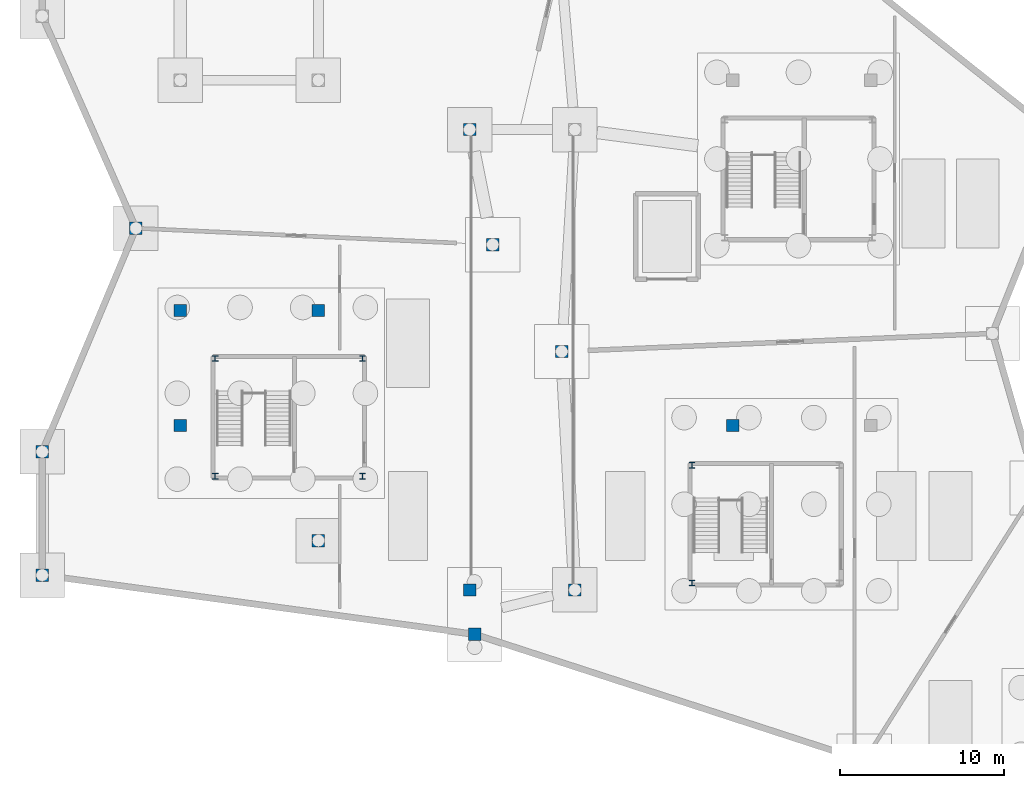
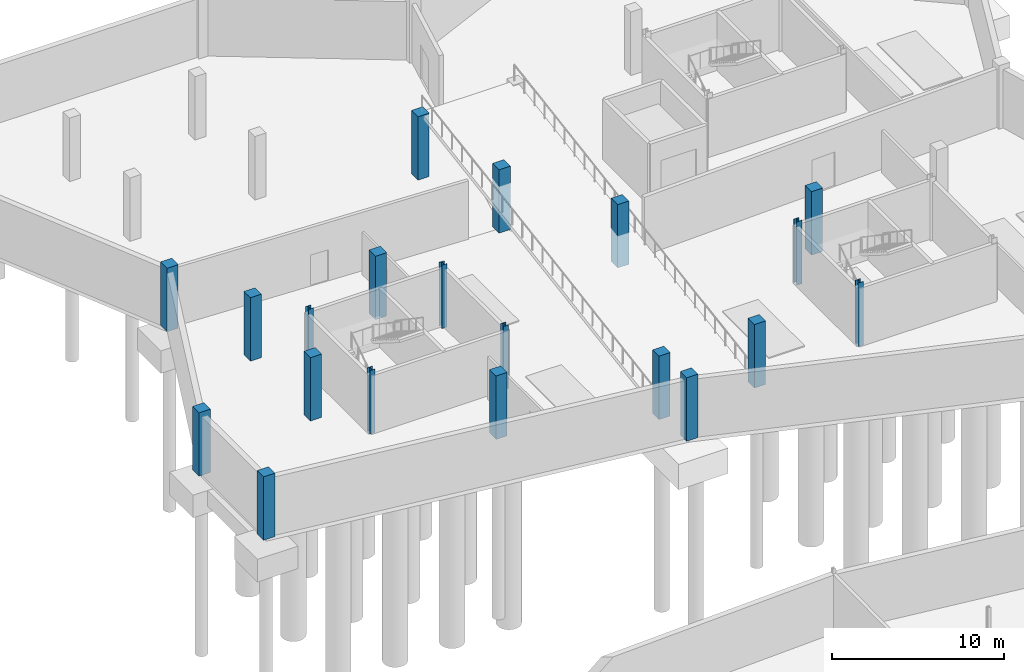
# One storey, part 15 of 37: 20 columns.
"""IFC4 building model written with IfcOpenShell, lengths in metres."""

from ifc_helpers import new_model, si_unit, direction, frame, origin, origin_2d, place, context, subcontext, project, spatial, rectangle, i_section, extrude, material, material_profile, profile_set, type_object, element, save


model = new_model("IFC4")

# Units and contexts
model_context = context("Model", 3, precision=1e-05, world=origin(), true_north=direction((0.0, 1.0)))
body_context = subcontext(model_context, "Body", "Model", "MODEL_VIEW")
ifc_project = project(units=[si_unit("LENGTHUNIT", "METRE"), si_unit("AREAUNIT", "SQUARE_METRE"), si_unit("VOLUMEUNIT", "CUBIC_METRE"), si_unit("PLANEANGLEUNIT", "RADIAN"), si_unit("MASSUNIT", "GRAM", prefix="KILO")], contexts=[model_context])

# Site, building, storey
site_placement = place(None, origin())
site = spatial("IfcSite", under=ifc_project, at=site_placement, CompositionType="ELEMENT")
building_placement = place(site_placement, origin())
building = spatial("IfcBuilding", under=site, at=building_placement, Name="Tameran Prism Museum", CompositionType="ELEMENT")
storey_placement = place(building_placement, frame((0.0, 0.0, -4.5)))
storey = spatial("IfcBuildingStorey", under=building, at=storey_placement, Name="B1", CompositionType="ELEMENT", Elevation=-4.5)

# Columns
ifc_material_1 = material(Name="Concrete N50 (50 MPa)", Category="concrete")
ifc_material_profile_1 = material_profile(ifc_material_1, rectangle(XDim=0.75, YDim=0.75, at=origin_2d()))
ifc_profile_set_1 = profile_set([ifc_material_profile_1])
column_type_1 = type_object("IfcColumnType", Name="COL-RC750", PredefinedType="COLUMN", material=ifc_profile_set_1)
for number, where, z_axis, x_axis, name in (
    (1, (0.0, 67.89990234375, 0.0), (0.0, 0.0, 1.0), (1.0, 0.0, 0.0), "Column CV-05 B1"),
    (2, (0.0, 75.39990234375, 0.0), (0.0, 0.0, 1.0), (1.0, 0.0, 0.0), "Column CV-06 B1"),
    (3, (5.699951171875, 89.0, 0.0), (0.0, 0.0, 1.0), (1.0, 0.0, 0.0), "Column CV-10 B1"),
    (4, (26.300048828125, 64.300048828125, 0.0), (0.0, 0.0, 1.0), (1.0, 0.0, 0.0), "Column CV-16 B1"),
    (5, (27.39990234375, 88.0, 0.0), (0.0, 0.0, 1.0), (1.0, 0.0, 0.0), "Column CV-17 B1"),
    (6, (31.60009765625, 81.5, 0.0), (0.0, 0.0, 1.0), (1.0, 0.0, 0.0), "Column CV-20 B1"),
    (7, (42.0, 77.0, 0.0), (0.0, 0.0, 1.0), (1.0, 0.0, 0.0), "Column CI-01 B1"),
    (8, (8.39990234375, 77.0, 0.0), (0.0, 0.0, 1.0), (1.0, 0.0, 0.0), "Column CI-05 B1"),
    (9, (8.39990234375, 84.0, 0.0), (0.0, 0.0, 1.0), (1.0, 0.0, 0.0), "Column CI-06 B1"),
    (10, (16.800048828125, 70.0, 0.0), (0.0, 0.0, 1.0), (1.0, 0.0, 0.0), "Column CI-07 B1"),
    (11, (16.800048828125, 84.0, 0.0), (0.0, 0.0, 1.0), (1.0, 0.0, 0.0), "Column CI-08 B1"),
    (12, (26.0, 67.0, 0.0), (0.0, 0.0, 1.0), (1.0, 0.0, 0.0), "Column CR-R1 B1"),
    (13, (32.39990234375, 67.0, 0.0), (0.0, 0.0, 1.0), (1.0, 0.0, 0.0), "Column CR-R2 B1"),
    (14, (26.0, 95.0, 0.0), (0.0, 0.0, 1.0), (1.0, 0.0, 0.0), "Column CR-R3 B1"),
):
    element("IfcColumn", number, at=place(storey_placement, frame(where, z_axis=z_axis, x_axis=x_axis)), inside=storey, type_object=column_type_1, Name=name, PredefinedType="COLUMN", context=body_context, shape_type="SweptSolid", body=[
        extrude(rectangle(XDim=0.75, YDim=0.75, at=origin_2d()), origin(), (0.0, 0.0, 1.0), 4.5),
    ])
ifc_material_2 = material(Name="Steel Grade 350 (350 MPa)", Category="steel")
ifc_material_profile_2 = material_profile(ifc_material_2, i_section(OverallWidth=0.35009765625, OverallDepth=0.35009765625, WebThickness=0.02001953125, FlangeThickness=0.028076171875, at=origin_2d()))
ifc_profile_set_2 = profile_set([ifc_material_profile_2])
column_type_2 = type_object("IfcColumnType", Name="COL-WC350", PredefinedType="COLUMN", material=ifc_profile_set_2)
for number, where, z_axis, x_axis, name in (
    (15, (39.52001953125, 67.419921875, 0.0), (0.0, 0.0, 1.0), (1.0, 0.0, 0.0), "Column CC-5-1 B1"),
    (16, (39.52001953125, 74.580078125, 0.0), (0.0, 0.0, 1.0), (1.0, 0.0, 0.0), "Column CC-5-4 B1"),
    (17, (10.52001953125, 73.919921875, 0.0), (0.0, 0.0, 1.0), (1.0, 0.0, 0.0), "Column CC-9-1 B1"),
    (18, (19.47998046875, 73.919921875, 0.0), (0.0, 0.0, 1.0), (1.0, 0.0, 0.0), "Column CC-9-2 B1"),
    (19, (19.47998046875, 81.080078125, 0.0), (0.0, 0.0, 1.0), (1.0, 0.0, 0.0), "Column CC-9-3 B1"),
    (20, (10.52001953125, 81.080078125, 0.0), (0.0, 0.0, 1.0), (1.0, 0.0, 0.0), "Column CC-9-4 B1"),
):
    element("IfcColumn", number, at=place(storey_placement, frame(where, z_axis=z_axis, x_axis=x_axis)), inside=storey, type_object=column_type_2, Name=name, PredefinedType="COLUMN", context=body_context, shape_type="SweptSolid", body=[
        extrude(i_section(OverallWidth=0.35009765625, OverallDepth=0.35009765625, WebThickness=0.02001953125, FlangeThickness=0.028076171875, at=origin_2d()), origin(), (0.0, 0.0, 1.0), 4.5),
    ])

save(model, "model.ifc")
